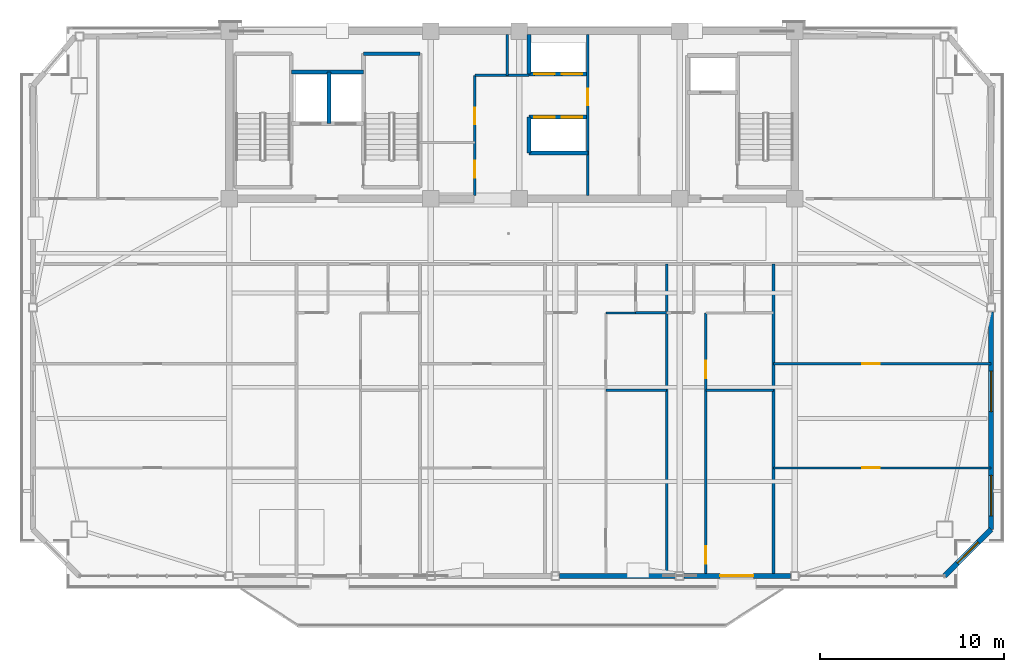
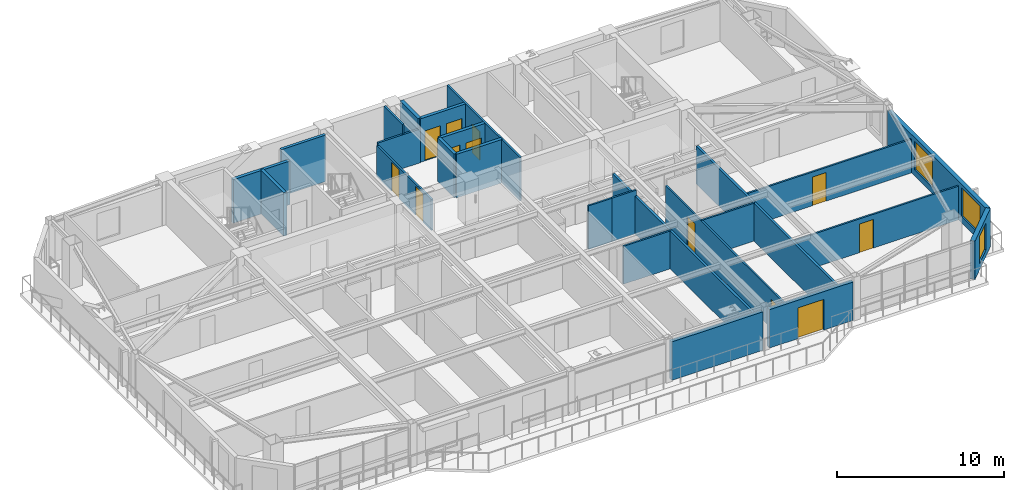
# One storey, part 10 of 17: 25 walls, 12 doors, 3 windows, 15 openings.
"""IFC4 building model written with IfcOpenShell, lengths in metres."""

from ifc_helpers import new_model, si_unit, direction, frame, frame_2d, origin, place, context, subcontext, project, spatial, rectangle, extrude, source, transform, mapped, material, layer, layer_set, type_object, element, fill, save


model = new_model("IFC4")

# Units and contexts
model_context = context("Model", 3, precision=1e-05, world=origin(), true_north=direction((0.0, 1.0)))
body_context = subcontext(model_context, "Body", "Model", "MODEL_VIEW")
ifc_project = project(units=[si_unit("LENGTHUNIT", "METRE"), si_unit("AREAUNIT", "SQUARE_METRE"), si_unit("VOLUMEUNIT", "CUBIC_METRE"), si_unit("PLANEANGLEUNIT", "RADIAN"), si_unit("MASSUNIT", "GRAM", prefix="KILO")], contexts=[model_context])

# Site, building, storey
site_placement = place(None, origin())
site = spatial("IfcSite", under=ifc_project, at=site_placement, CompositionType="ELEMENT")
building_placement = place(site_placement, origin())
building = spatial("IfcBuilding", under=site, at=building_placement, Name="Giltprow Tower", CompositionType="ELEMENT")
storey_placement = place(building_placement, frame((0.0, 0.0, 268.89990234375)))
storey = spatial("IfcBuildingStorey", under=building, at=storey_placement, Name="L69", CompositionType="ELEMENT", Elevation=268.89990234375)

# Wall, opening, window
ifc_material_1 = material(Name="Precast concrete C40", Category="concrete")
ifc_layer_1 = layer(ifc_material_1, 0.300048828125, Name="Precast concrete C40")
ifc_layer_set_1 = layer_set([ifc_layer_1], Name="Precast concrete C40")
wall_type_1 = type_object("IfcWallType", Name="EW-NOTCH-CHAMFER-300", PredefinedType="SOLIDWALL", material=ifc_layer_set_1)
wall_1_placement = place(storey_placement, frame((58.68408203125, 16.97607421875, 0.0), z_axis=(0.0, 0.0, 1.0), x_axis=(0.707106781187, 0.707106781187, 0.0)))
wall_1 = element("IfcWall", 1, at=wall_1_placement, inside=storey, type_object=wall_type_1, Name="L69 Corner Notch Wall SE", PredefinedType="SOLIDWALL", context=body_context, shape_type="SweptSolid", body=[
    extrude(rectangle(XDim=3.56787109375, YDim=0.300048828125, at=frame_2d((1.783935546875, 0.0))), origin(), (0.0, 0.0, 1.0), 2.815185546875),
])
opening_1_placement = place(wall_1_placement, frame((0.98388671875, 0.0, 0.449951171875)))
opening_1 = element("IfcOpeningElement", 2, at=opening_1_placement, cuts=wall_1, Name="Opening WN17", PredefinedType="OPENING", context=body_context, shape_type="SweptSolid", body=[
    extrude(rectangle(XDim=1.60009765625, YDim=2.0, at=frame_2d((0.800048828125, 1.0))), frame((0.0, 0.159912109375, 0.0), z_axis=(0.0, -1.0, 0.0), x_axis=(1.0, 0.0, 0.0)), (0.0, 0.0, 1.0), 0.320068359375),
])
ifc_material_2 = material(Name="Insulated glass", Category="glass")
window_type_1 = type_object("IfcWindowType", Name="WN-COR-1600x2000", PartitioningType="SINGLE_PANEL", PredefinedType="WINDOW", material=ifc_material_2)
shared_shape_1 = source(origin(), body_context, "Body", "SweptSolid", [
    extrude(rectangle(XDim=1.60009765625, YDim=2.0, at=frame_2d((0.800048828125, 1.0))), frame((0.0, 0.030029296875, 0.0), z_axis=(0.0, -1.0, 0.0), x_axis=(1.0, 0.0, 0.0)), (0.0, 0.0, 1.0), 0.06005859375),
])
window_1_placement = place(opening_1_placement, origin())
window_1 = element("IfcWindow", 3, at=window_1_placement, inside=storey, type_object=window_type_1, Name="L69 Corner Notch Window SE", OverallHeight=2.0, OverallWidth=1.60009765625, PartitioningType="SINGLE_PANEL", PredefinedType="WINDOW", context=body_context, shape_type="MappedRepresentation", body=[
    mapped(shared_shape_1, transform((0.0, 0.0, 0.0), x_axis=(1.0, 0.0, 0.0), y_axis=(0.0, 1.0, 0.0), z_axis=(0.0, 0.0, 1.0), scale=1.0)),
])
fill(opening_1, window_1)

# Wall
ifc_layer_2 = layer(ifc_material_1, 0.280029296875, Name="Precast concrete C40")
ifc_layer_set_2 = layer_set([ifc_layer_2], Name="Precast concrete C40")
wall_type_2 = type_object("IfcWallType", Name="EW-TOW-BRONZE-280", PredefinedType="SOLIDWALL", material=ifc_layer_set_2)
wall_2_placement = place(storey_placement, frame((37.77490234375, 16.97607421875, 0.0), z_axis=(0.0, 0.0, 1.0), x_axis=(1.0, 0.0, 0.0)))
element("IfcWall", 4, at=wall_2_placement, inside=storey, type_object=wall_type_2, Name="L69 South Expressed Frame Wall 4", PredefinedType="SOLIDWALL", context=body_context, shape_type="SweptSolid", body=[
    extrude(rectangle(XDim=6.300048828125, YDim=0.280029296875, at=frame_2d((3.14990234375, 0.0))), origin(), (0.0, 0.0, 1.0), 2.815185546875),
])

# Wall, opening, door
wall_3_placement = place(storey_placement, frame((44.52490234375, 16.97607421875, 0.0), z_axis=(0.0, 0.0, 1.0), x_axis=(1.0, 0.0, 0.0)))
wall_3 = element("IfcWall", 5, at=wall_3_placement, inside=storey, type_object=wall_type_2, Name="L69 South Expressed Frame Wall 5", PredefinedType="SOLIDWALL", context=body_context, shape_type="SweptSolid", body=[
    extrude(rectangle(XDim=5.800048828125, YDim=0.280029296875, at=frame_2d((2.89990234375, 0.0))), origin(), (0.0, 0.0, 1.0), 2.815185546875),
])
opening_2_placement = place(wall_3_placement, frame((1.97509765625, 0.0, 0.0)))
opening_2 = element("IfcOpeningElement", 6, at=opening_2_placement, cuts=wall_3, Name="Opening ED25", PredefinedType="OPENING", context=body_context, shape_type="SweptSolid", body=[
    extrude(rectangle(XDim=1.800048828125, YDim=2.25, at=frame_2d((0.89990234375, 1.125))), frame((0.0, 0.14990234375, 0.0), z_axis=(0.0, -1.0, 0.0), x_axis=(1.0, 0.0, 0.0)), (0.0, 0.0, 1.0), 0.300048828125),
])
ifc_material_3 = material(Name="Anodized bronze and glass", Category="glass")
door_type_1 = type_object("IfcDoorType", Name="DR-BALC-SLIDE-1800", OperationType="SLIDING_TO_LEFT", PredefinedType="DOOR", material=ifc_material_3)
shared_shape_2 = source(origin(), body_context, "Body", "SweptSolid", [
    extrude(rectangle(XDim=1.800048828125, YDim=2.25, at=frame_2d((0.89990234375, 1.125))), frame((0.0, 0.02490234375, 0.0), z_axis=(0.0, -1.0, 0.0), x_axis=(1.0, 0.0, 0.0)), (0.0, 0.0, 1.0), 0.050048828125),
])
door_1_placement = place(opening_2_placement, origin())
door_1 = element("IfcDoor", 7, at=door_1_placement, inside=storey, type_object=door_type_1, Name="L69 Waterfront Balcony Sliding Door 2", OperationType="SLIDING_TO_LEFT", OverallHeight=2.25, OverallWidth=1.800048828125, PredefinedType="DOOR", context=body_context, shape_type="MappedRepresentation", body=[
    mapped(shared_shape_2, transform((0.0, 0.0, 0.0), x_axis=(1.0, 0.0, 0.0), y_axis=(0.0, 1.0, 0.0), z_axis=(0.0, 0.0, 1.0), scale=1.0)),
])
fill(opening_2, door_1)

# Wall, openings, windows
wall_4_placement = place(storey_placement, frame((61.20703125, 19.4990234375, 0.0), z_axis=(0.0, 0.0, 1.0), x_axis=(0.0, 1.0, 0.0)))
wall_4 = element("IfcWall", 8, at=wall_4_placement, inside=storey, type_object=wall_type_2, Name="L69 E Wing Masonry Wall 1", PredefinedType="SOLIDWALL", context=body_context, shape_type="SweptSolid", body=[
    extrude(rectangle(XDim=11.81396484375, YDim=0.280029296875, at=frame_2d((5.906982421875, 0.0))), origin(), (0.0, 0.0, 1.0), 2.815185546875),
])
opening_3_placement = place(wall_4_placement, frame((0.736083984375, 0.0, 0.449951171875)))
opening_3 = element("IfcOpeningElement", 9, at=opening_3_placement, cuts=wall_4, Name="Opening WN27", PredefinedType="OPENING", context=body_context, shape_type="SweptSolid", body=[
    extrude(rectangle(XDim=2.199951171875, YDim=2.10009765625, at=frame_2d((1.10009765625, 1.050048828125))), frame((0.0, 0.14990234375, 0.0), z_axis=(0.0, -1.0, 0.0), x_axis=(1.0, 0.0, 0.0)), (0.0, 0.0, 1.0), 0.300048828125),
])
opening_4_placement = place(wall_4_placement, frame((6.39501953125, 0.0, 0.449951171875)))
opening_4 = element("IfcOpeningElement", 10, at=opening_4_placement, cuts=wall_4, Name="Opening WN27", PredefinedType="OPENING", context=body_context, shape_type="SweptSolid", body=[
    extrude(rectangle(XDim=2.199951171875, YDim=2.10009765625, at=frame_2d((1.10009765625, 1.050048828125))), frame((0.0, 0.14990234375, 0.0), z_axis=(0.0, -1.0, 0.0), x_axis=(1.0, 0.0, 0.0)), (0.0, 0.0, 1.0), 0.300048828125),
])
window_type_2 = type_object("IfcWindowType", Name="WN-RES-2200x2100", PartitioningType="TRIPLE_PANEL_VERTICAL", PredefinedType="WINDOW", material=ifc_material_2)
shared_shape_3 = source(origin(), body_context, "Body", "SweptSolid", [
    extrude(rectangle(XDim=2.199951171875, YDim=2.10009765625, at=frame_2d((1.10009765625, 1.050048828125))), frame((0.0, 0.030029296875, 0.0), z_axis=(0.0, -1.0, 0.0), x_axis=(1.0, 0.0, 0.0)), (0.0, 0.0, 1.0), 0.06005859375),
])
window_2_placement = place(opening_3_placement, origin())
window_2 = element("IfcWindow", 11, at=window_2_placement, inside=storey, type_object=window_type_2, Name="L69 E Wing Window 1-1A", OverallHeight=2.10009765625, OverallWidth=2.199951171875, PartitioningType="SINGLE_PANEL", PredefinedType="WINDOW", context=body_context, shape_type="MappedRepresentation", body=[
    mapped(shared_shape_3, transform((0.0, 0.0, 0.0), x_axis=(1.0, 0.0, 0.0), y_axis=(0.0, 1.0, 0.0), z_axis=(0.0, 0.0, 1.0), scale=1.0)),
])
fill(opening_3, window_2)
window_3_placement = place(opening_4_placement, origin())
window_3 = element("IfcWindow", 12, at=window_3_placement, inside=storey, type_object=window_type_2, Name="L69 E Wing Window 1-1B", OverallHeight=2.10009765625, OverallWidth=2.199951171875, PartitioningType="SINGLE_PANEL", PredefinedType="WINDOW", context=body_context, shape_type="MappedRepresentation", body=[
    mapped(shared_shape_3, transform((0.0, 0.0, 0.0), x_axis=(1.0, 0.0, 0.0), y_axis=(0.0, 1.0, 0.0), z_axis=(0.0, 0.0, 1.0), scale=1.0)),
])
fill(opening_4, window_3)

# Walls
ifc_material_4 = material(Name="Gypsum stud partition", Category="gypsum")
ifc_layer_3 = layer(ifc_material_4, 0.159912109375, Name="Gypsum stud partition")
ifc_layer_set_3 = layer_set([ifc_layer_3], Name="Gypsum stud partition")
wall_type_3 = type_object("IfcWallType", Name="IW-DEMISE-160", PredefinedType="PARTITIONING", material=ifc_layer_set_3)
for number, where, z_axis, x_axis, name in (
    (13, (43.60009765625, 16.97607421875, 0.0), (0.0, 0.0, 1.0), (0.0, 1.0, 0.0), "L69 Apartment Party Wall 4"),
    (14, (49.39990234375, 16.97607421875, 0.0), (0.0, 0.0, 1.0), (0.0, 1.0, 0.0), "L69 Apartment Party Wall 5"),
):
    element("IfcWall", number, at=place(storey_placement, frame(where, z_axis=z_axis, x_axis=x_axis)), inside=storey, type_object=wall_type_3, Name=name, PredefinedType="PARTITIONING", context=body_context, shape_type="SweptSolid", body=[
        extrude(rectangle(XDim=16.923828125, YDim=0.159912109375, at=frame_2d((8.4619140625, 0.0))), origin(), (0.0, 0.0, 1.0), 2.77001953125),
    ])
ifc_layer_4 = layer(ifc_material_4, 0.1201171875, Name="Gypsum stud partition")
ifc_layer_set_4 = layer_set([ifc_layer_4], Name="Gypsum stud partition")
wall_type_4 = type_object("IfcWallType", Name="IW-ROOM-120", PredefinedType="PARTITIONING", material=ifc_layer_set_4)
wall_5_placement = place(storey_placement, frame((40.300048828125, 31.25, 0.0), z_axis=(0.0, 0.0, 1.0), x_axis=(1.0, 0.0, 0.0)))
element("IfcWall", 15, at=wall_5_placement, inside=storey, type_object=wall_type_4, Name="L69 Unit 2 Bedroom North Wall", PredefinedType="PARTITIONING", context=body_context, shape_type="SweptSolid", body=[
    extrude(rectangle(XDim=1.60986328125, YDim=0.1201171875, at=frame_2d((0.804931640625, 0.0))), origin(), (0.0, 0.0, 1.0), 3.18505859375),
])
wall_6_placement = place(storey_placement, frame((40.300048828125, 27.050048828125, 0.0), z_axis=(0.0, 0.0, 1.0), x_axis=(1.0, 0.0, 0.0)))
element("IfcWall", 16, at=wall_6_placement, inside=storey, type_object=wall_type_4, Name="L69 Unit 2 Second Bedroom Wall", PredefinedType="PARTITIONING", context=body_context, shape_type="SweptSolid", body=[
    extrude(rectangle(XDim=3.300048828125, YDim=0.1201171875, at=frame_2d((1.64990234375, 0.0))), origin(), (0.0, 0.0, 1.0), 2.77001953125),
])

# Wall, openings, doors
wall_7_placement = place(storey_placement, frame((45.719970703125, 16.97607421875, 0.0), z_axis=(0.0, 0.0, 1.0), x_axis=(0.0, 1.0, 0.0)))
wall_7 = element("IfcWall", 17, at=wall_7_placement, inside=storey, type_object=wall_type_4, Name="L69 Unit 3 Bedroom Wall", PredefinedType="PARTITIONING", context=body_context, shape_type="SweptSolid", body=[
    extrude(rectangle(XDim=14.27392578125, YDim=0.1201171875, at=frame_2d((7.136962890625, 0.0))), origin(), (0.0, 0.0, 1.0), 2.77001953125),
])
opening_5_placement = place(wall_7_placement, frame((0.669921875, 0.0, 0.0)))
opening_5 = element("IfcOpeningElement", 18, at=opening_5_placement, cuts=wall_7, Name="Opening ID11", PredefinedType="OPENING", context=body_context, shape_type="SweptSolid", body=[
    extrude(rectangle(XDim=0.949951171875, YDim=2.10009765625, at=frame_2d((0.47509765625, 1.050048828125))), frame((0.0, 0.070068359375, 0.0), z_axis=(0.0, -1.0, 0.0), x_axis=(1.0, 0.0, 0.0)), (0.0, 0.0, 1.0), 0.14013671875),
])
opening_6_placement = place(wall_7_placement, frame((10.714111328125, 0.0, 0.0)))
opening_6 = element("IfcOpeningElement", 19, at=opening_6_placement, cuts=wall_7, Name="Opening ID11", PredefinedType="OPENING", context=body_context, shape_type="SweptSolid", body=[
    extrude(rectangle(XDim=0.949951171875, YDim=2.10009765625, at=frame_2d((0.47509765625, 1.050048828125))), frame((0.0, 0.070068359375, 0.0), z_axis=(0.0, -1.0, 0.0), x_axis=(1.0, 0.0, 0.0)), (0.0, 0.0, 1.0), 0.14013671875),
])
ifc_material_5 = material(Name="Engineered timber", Category="wood")
door_type_2 = type_object("IfcDoorType", Name="DR-ROOM-950", OperationType="SINGLE_SWING_RIGHT", PredefinedType="DOOR", material=ifc_material_5)
shared_shape_4 = source(origin(), body_context, "Body", "SweptSolid", [
    extrude(rectangle(XDim=0.949951171875, YDim=2.10009765625, at=frame_2d((0.47509765625, 1.050048828125))), frame((0.0, 0.02490234375, 0.0), z_axis=(0.0, -1.0, 0.0), x_axis=(1.0, 0.0, 0.0)), (0.0, 0.0, 1.0), 0.050048828125),
])
door_2_placement = place(opening_5_placement, origin())
door_2 = element("IfcDoor", 20, at=door_2_placement, inside=storey, type_object=door_type_2, Name="L69 Unit 3 Primary Bedroom Door", OperationType="SINGLE_SWING_RIGHT", OverallHeight=2.10009765625, OverallWidth=0.949951171875, PredefinedType="DOOR", context=body_context, shape_type="MappedRepresentation", body=[
    mapped(shared_shape_4, transform((0.0, 0.0, 0.0), x_axis=(1.0, 0.0, 0.0), y_axis=(0.0, 1.0, 0.0), z_axis=(0.0, 0.0, 1.0), scale=1.0)),
])
fill(opening_5, door_2)
door_3_placement = place(opening_6_placement, origin())
door_3 = element("IfcDoor", 21, at=door_3_placement, inside=storey, type_object=door_type_2, Name="L69 Unit 3 Second Bedroom Door", OperationType="SINGLE_SWING_LEFT", OverallHeight=2.10009765625, OverallWidth=0.949951171875, PredefinedType="DOOR", context=body_context, shape_type="MappedRepresentation", body=[
    mapped(shared_shape_4, transform((0.0, 0.0, 0.0), x_axis=(1.0, 0.0, 0.0), y_axis=(0.0, 1.0, 0.0), z_axis=(0.0, 0.0, 1.0), scale=1.0)),
])
fill(opening_6, door_3)

# Wall
wall_8_placement = place(storey_placement, frame((45.719970703125, 27.050048828125, 0.0), z_axis=(0.0, 0.0, 1.0), x_axis=(1.0, 0.0, 0.0)))
element("IfcWall", 22, at=wall_8_placement, inside=storey, type_object=wall_type_4, Name="L69 Unit 3 Second Bedroom Wall", PredefinedType="PARTITIONING", context=body_context, shape_type="SweptSolid", body=[
    extrude(rectangle(XDim=3.679931640625, YDim=0.1201171875, at=frame_2d((1.83984375, 0.0))), origin(), (0.0, 0.0, 1.0), 2.77001953125),
])

# Wall, opening, door
wall_9_placement = place(storey_placement, frame((49.39990234375, 22.8349609375, 0.0), z_axis=(0.0, 0.0, 1.0), x_axis=(1.0, 0.0, 0.0)))
wall_9 = element("IfcWall", 23, at=wall_9_placement, inside=storey, type_object=wall_type_4, Name="L69 Special Split 1", PredefinedType="PARTITIONING", context=body_context, shape_type="SweptSolid", body=[
    extrude(rectangle(XDim=11.80712890625, YDim=0.1201171875, at=frame_2d((5.903564453125, 0.0))), origin(), (0.0, 0.0, 1.0), 2.47021484375),
])
opening_7_placement = place(wall_9_placement, frame((4.80908203125, 0.0, 0.0)))
opening_7 = element("IfcOpeningElement", 24, at=opening_7_placement, cuts=wall_9, Name="Opening ID11", PredefinedType="OPENING", context=body_context, shape_type="SweptSolid", body=[
    extrude(rectangle(XDim=0.949951171875, YDim=2.10009765625, at=frame_2d((0.47509765625, 1.050048828125))), frame((0.0, 0.070068359375, 0.0), z_axis=(0.0, -1.0, 0.0), x_axis=(1.0, 0.0, 0.0)), (0.0, 0.0, 1.0), 0.14013671875),
])
door_4_placement = place(opening_7_placement, origin())
door_4 = element("IfcDoor", 25, at=door_4_placement, inside=storey, type_object=door_type_2, Name="L69 Screening Meeting Room 3 South Door", OperationType="SINGLE_SWING_RIGHT", OverallHeight=2.10009765625, OverallWidth=0.949951171875, PredefinedType="DOOR", context=body_context, shape_type="MappedRepresentation", body=[
    mapped(shared_shape_4, transform((0.0, 0.0, 0.0), x_axis=(1.0, 0.0, 0.0), y_axis=(0.0, 1.0, 0.0), z_axis=(0.0, 0.0, 1.0), scale=1.0)),
])
fill(opening_7, door_4)

wall_10_placement = place(storey_placement, frame((49.39990234375, 28.493896484375, 0.0), z_axis=(0.0, 0.0, 1.0), x_axis=(1.0, 0.0, 0.0)))
wall_10 = element("IfcWall", 26, at=wall_10_placement, inside=storey, type_object=wall_type_4, Name="L69 Special Split 2", PredefinedType="PARTITIONING", context=body_context, shape_type="SweptSolid", body=[
    extrude(rectangle(XDim=11.80712890625, YDim=0.1201171875, at=frame_2d((5.903564453125, 0.0))), origin(), (0.0, 0.0, 1.0), 2.47021484375),
])
opening_8_placement = place(wall_10_placement, frame((4.80908203125, 0.0, 0.0)))
opening_8 = element("IfcOpeningElement", 27, at=opening_8_placement, cuts=wall_10, Name="Opening ID11", PredefinedType="OPENING", context=body_context, shape_type="SweptSolid", body=[
    extrude(rectangle(XDim=0.949951171875, YDim=2.10009765625, at=frame_2d((0.47509765625, 1.050048828125))), frame((0.0, 0.070068359375, 0.0), z_axis=(0.0, -1.0, 0.0), x_axis=(1.0, 0.0, 0.0)), (0.0, 0.0, 1.0), 0.14013671875),
])
door_5_placement = place(opening_8_placement, origin())
door_5 = element("IfcDoor", 28, at=door_5_placement, inside=storey, type_object=door_type_2, Name="L69 Screening Meeting Room 3 Mid Door", OperationType="SINGLE_SWING_LEFT", OverallHeight=2.10009765625, OverallWidth=0.949951171875, PredefinedType="DOOR", context=body_context, shape_type="MappedRepresentation", body=[
    mapped(shared_shape_4, transform((0.0, 0.0, 0.0), x_axis=(1.0, 0.0, 0.0), y_axis=(0.0, 1.0, 0.0), z_axis=(0.0, 0.0, 1.0), scale=1.0)),
])
fill(opening_8, door_5)

# Walls
ifc_material_6 = material(Name="Concrete C40", Category="concrete")
ifc_layer_5 = layer(ifc_material_6, 0.219970703125, Name="Concrete C40")
ifc_layer_set_5 = layer_set([ifc_layer_5], Name="Concrete C40")
wall_type_5 = type_object("IfcWallType", Name="IW-SHAFT-220", PredefinedType="SOLIDWALL", material=ifc_layer_set_5)
wall_11_placement = place(storey_placement, frame((25.260009765625, 41.52001953125, 0.0), z_axis=(0.0, 0.0, 1.0), x_axis=(0.0, 1.0, 0.0)))
element("IfcWall", 29, at=wall_11_placement, inside=storey, type_object=wall_type_5, Name="L69 FFL1-SVL1 Shaft Divider", PredefinedType="SOLIDWALL", context=body_context, shape_type="SweptSolid", body=[
    extrude(rectangle(XDim=2.800048828125, YDim=0.219970703125, at=frame_2d((1.39990234375, 0.0))), origin(), (0.0, 0.0, 1.0), 3.18505859375),
])
wall_12_placement = place(storey_placement, frame((23.219970703125, 44.320068359375, 0.0), z_axis=(0.0, 0.0, 1.0), x_axis=(1.0, 0.0, 0.0)))
element("IfcWall", 30, at=wall_12_placement, inside=storey, type_object=wall_type_5, Name="L69 FFL1-SVL1 Back Shaft Wall", PredefinedType="SOLIDWALL", context=body_context, shape_type="SweptSolid", body=[
    extrude(rectangle(XDim=3.919921875, YDim=0.219970703125, at=frame_2d((1.9599609375, 0.0))), origin(), (0.0, 0.0, 1.0), 3.18505859375),
])

# Wall, openings, doors
wall_13_placement = place(storey_placement, frame((36.1201171875, 44.219970703125, 0.0), z_axis=(0.0, 0.0, 1.0), x_axis=(1.0, 0.0, 0.0)))
wall_13 = element("IfcWall", 31, at=wall_13_placement, inside=storey, type_object=wall_type_5, Name="L69 High-Rise Lift Shaft Front Wall N", PredefinedType="SOLIDWALL", context=body_context, shape_type="SweptSolid", body=[
    extrude(rectangle(XDim=3.199951171875, YDim=0.219970703125, at=frame_2d((1.60009765625, 0.0))), origin(), (0.0, 0.0, 1.0), 3.18505859375),
])
opening_9_placement = place(wall_13_placement, frame((0.300048828125, 0.0, 0.0)))
opening_9 = element("IfcOpeningElement", 32, at=opening_9_placement, cuts=wall_13, Name="Opening LD-11", PredefinedType="OPENING", context=body_context, shape_type="SweptSolid", body=[
    extrude(rectangle(XDim=1.10009765625, YDim=2.199951171875, at=frame_2d((0.550048828125, 1.10009765625))), frame((0.0, 0.119873046875, 0.0), z_axis=(0.0, -1.0, 0.0), x_axis=(1.0, 0.0, 0.0)), (0.0, 0.0, 1.0), 0.239990234375),
])
opening_10_placement = place(wall_13_placement, frame((1.7900390625, 0.0, 0.0)))
opening_10 = element("IfcOpeningElement", 33, at=opening_10_placement, cuts=wall_13, Name="Opening LD-11", PredefinedType="OPENING", context=body_context, shape_type="SweptSolid", body=[
    extrude(rectangle(XDim=1.10009765625, YDim=2.199951171875, at=frame_2d((0.550048828125, 1.10009765625))), frame((0.0, 0.119873046875, 0.0), z_axis=(0.0, -1.0, 0.0), x_axis=(1.0, 0.0, 0.0)), (0.0, 0.0, 1.0), 0.239990234375),
])
ifc_material_7 = material(Name="Stainless steel", Category="steel")
door_type_3 = type_object("IfcDoorType", Name="DR-LIFT-LD1100", OperationType="SLIDING_TO_LEFT", PredefinedType="DOOR", material=ifc_material_7)
shared_shape_5 = source(origin(), body_context, "Body", "SweptSolid", [
    extrude(rectangle(XDim=1.10009765625, YDim=2.199951171875, at=frame_2d((0.550048828125, 1.10009765625))), frame((0.0, 0.02490234375, 0.0), z_axis=(0.0, -1.0, 0.0), x_axis=(1.0, 0.0, 0.0)), (0.0, 0.0, 1.0), 0.050048828125),
])
door_6_placement = place(opening_9_placement, origin())
door_6 = element("IfcDoor", 34, at=door_6_placement, inside=storey, type_object=door_type_3, Name="L69 PL-H1 Landing Door", OperationType="SLIDING_TO_LEFT", OverallHeight=2.199951171875, OverallWidth=1.10009765625, PredefinedType="DOOR", context=body_context, shape_type="MappedRepresentation", body=[
    mapped(shared_shape_5, transform((0.0, 0.0, 0.0), x_axis=(1.0, 0.0, 0.0), y_axis=(0.0, 1.0, 0.0), z_axis=(0.0, 0.0, 1.0), scale=1.0)),
])
fill(opening_9, door_6)
door_7_placement = place(opening_10_placement, origin())
door_7 = element("IfcDoor", 35, at=door_7_placement, inside=storey, type_object=door_type_3, Name="L69 PL-H2 Landing Door", OperationType="SLIDING_TO_LEFT", OverallHeight=2.199951171875, OverallWidth=1.10009765625, PredefinedType="DOOR", context=body_context, shape_type="MappedRepresentation", body=[
    mapped(shared_shape_5, transform((0.0, 0.0, 0.0), x_axis=(1.0, 0.0, 0.0), y_axis=(0.0, 1.0, 0.0), z_axis=(0.0, 0.0, 1.0), scale=1.0)),
])
fill(opening_10, door_7)

wall_14_placement = place(storey_placement, frame((36.1201171875, 41.8798828125, 0.0), z_axis=(0.0, 0.0, 1.0), x_axis=(1.0, 0.0, 0.0)))
wall_14 = element("IfcWall", 36, at=wall_14_placement, inside=storey, type_object=wall_type_5, Name="L69 High-Rise Lift Shaft Front Wall S", PredefinedType="SOLIDWALL", context=body_context, shape_type="SweptSolid", body=[
    extrude(rectangle(XDim=3.199951171875, YDim=0.219970703125, at=frame_2d((1.60009765625, 0.0))), origin(), (0.0, 0.0, 1.0), 3.18505859375),
])
opening_11_placement = place(wall_14_placement, frame((0.300048828125, 0.0, 0.0)))
opening_11 = element("IfcOpeningElement", 37, at=opening_11_placement, cuts=wall_14, Name="Opening LD-11", PredefinedType="OPENING", context=body_context, shape_type="SweptSolid", body=[
    extrude(rectangle(XDim=1.10009765625, YDim=2.199951171875, at=frame_2d((0.550048828125, 1.10009765625))), frame((0.0, 0.119873046875, 0.0), z_axis=(0.0, -1.0, 0.0), x_axis=(1.0, 0.0, 0.0)), (0.0, 0.0, 1.0), 0.239990234375),
])
opening_12_placement = place(wall_14_placement, frame((1.7900390625, 0.0, 0.0)))
opening_12 = element("IfcOpeningElement", 38, at=opening_12_placement, cuts=wall_14, Name="Opening LD-11", PredefinedType="OPENING", context=body_context, shape_type="SweptSolid", body=[
    extrude(rectangle(XDim=1.10009765625, YDim=2.199951171875, at=frame_2d((0.550048828125, 1.10009765625))), frame((0.0, 0.119873046875, 0.0), z_axis=(0.0, -1.0, 0.0), x_axis=(1.0, 0.0, 0.0)), (0.0, 0.0, 1.0), 0.239990234375),
])
door_8_placement = place(opening_11_placement, origin())
door_8 = element("IfcDoor", 39, at=door_8_placement, inside=storey, type_object=door_type_3, Name="L69 PL-H3 Landing Door", OperationType="SLIDING_TO_LEFT", OverallHeight=2.199951171875, OverallWidth=1.10009765625, PredefinedType="DOOR", context=body_context, shape_type="MappedRepresentation", body=[
    mapped(shared_shape_5, transform((0.0, 0.0, 0.0), x_axis=(1.0, 0.0, 0.0), y_axis=(0.0, 1.0, 0.0), z_axis=(0.0, 0.0, 1.0), scale=1.0)),
])
fill(opening_11, door_8)
door_9_placement = place(opening_12_placement, origin())
door_9 = element("IfcDoor", 40, at=door_9_placement, inside=storey, type_object=door_type_3, Name="L69 PL-H4 Landing Door", OperationType="SLIDING_TO_LEFT", OverallHeight=2.199951171875, OverallWidth=1.10009765625, PredefinedType="DOOR", context=body_context, shape_type="MappedRepresentation", body=[
    mapped(shared_shape_5, transform((0.0, 0.0, 0.0), x_axis=(1.0, 0.0, 0.0), y_axis=(0.0, 1.0, 0.0), z_axis=(0.0, 0.0, 1.0), scale=1.0)),
])
fill(opening_12, door_9)

# Walls
wall_15_placement = place(storey_placement, frame((36.1201171875, 39.919921875, 0.0), z_axis=(0.0, 0.0, 1.0), x_axis=(1.0, 0.0, 0.0)))
element("IfcWall", 41, at=wall_15_placement, inside=storey, type_object=wall_type_5, Name="L69 High-Rise South Lift Back Wall", PredefinedType="SOLIDWALL", context=body_context, shape_type="SweptSolid", body=[
    extrude(rectangle(XDim=3.199951171875, YDim=0.219970703125, at=frame_2d((1.60009765625, 0.0))), origin(), (0.0, 0.0, 1.0), 3.18505859375),
])
wall_16_placement = place(storey_placement, frame((36.1201171875, 39.919921875, 0.0), z_axis=(0.0, 0.0, 1.0), x_axis=(0.0, 1.0, 0.0)))
element("IfcWall", 42, at=wall_16_placement, inside=storey, type_object=wall_type_5, Name="L69 High-Rise South Lift West Closure", PredefinedType="SOLIDWALL", context=body_context, shape_type="SweptSolid", body=[
    extrude(rectangle(XDim=1.9599609375, YDim=0.219970703125, at=frame_2d((0.97998046875, 0.0))), origin(), (0.0, 0.0, 1.0), 3.18505859375),
])
wall_17_placement = place(storey_placement, frame((36.1201171875, 44.219970703125, 0.0), z_axis=(0.0, 0.0, 1.0), x_axis=(0.0, 1.0, 0.0)))
element("IfcWall", 43, at=wall_17_placement, inside=storey, type_object=wall_type_5, Name="L69 High-Rise North Lift West Closure", PredefinedType="SOLIDWALL", context=body_context, shape_type="SweptSolid", body=[
    extrude(rectangle(XDim=2.150146484375, YDim=0.219970703125, at=frame_2d((1.0751953125, 0.0))), origin(), (0.0, 0.0, 1.0), 3.18505859375),
])
ifc_layer_6 = layer(ifc_material_6, 0.199951171875, Name="Concrete C40")
ifc_layer_set_6 = layer_set([ifc_layer_6], Name="Concrete C40")
wall_type_6 = type_object("IfcWallType", Name="IW-STAIR-200", PredefinedType="SOLIDWALL", material=ifc_layer_set_6)
wall_18_placement = place(storey_placement, frame((27.139892578125, 45.320068359375, 0.0), z_axis=(0.0, 0.0, 1.0), x_axis=(1.0, 0.0, 0.0)))
element("IfcWall", 44, at=wall_18_placement, inside=storey, type_object=wall_type_6, Name="L69 Stair ST-2 North Bearing Wall", PredefinedType="SOLIDWALL", context=body_context, shape_type="SweptSolid", body=[
    extrude(rectangle(XDim=3.080078125, YDim=0.199951171875, at=frame_2d((1.5400390625, 0.0))), origin(), (0.0, 0.0, 1.0), 3.400146484375),
])

# Wall, openings, doors
ifc_material_8 = material(Name="Concrete C30", Category="concrete")
ifc_layer_7 = layer(ifc_material_8, 0.1298828125, Name="Concrete C30")
ifc_layer_set_7 = layer_set([ifc_layer_7], Name="Concrete C30")
wall_type_7 = type_object("IfcWallType", Name="IW-WET-130", PredefinedType="PARTITIONING", material=ifc_layer_set_7)
wall_19_placement = place(storey_placement, frame((33.179931640625, 37.6298828125, 0.0), z_axis=(0.0, 0.0, 1.0), x_axis=(0.0, 1.0, 0.0)))
wall_19 = element("IfcWall", 45, at=wall_19_placement, inside=storey, type_object=wall_type_7, Name="L69 Reclaimed West Core Wall", PredefinedType="PARTITIONING", context=body_context, shape_type="SweptSolid", body=[
    extrude(rectangle(XDim=6.52001953125, YDim=0.1298828125, at=frame_2d((3.260009765625, 0.0))), origin(), (0.0, 0.0, 1.0), 2.27001953125),
])
opening_13_placement = place(wall_19_placement, frame((0.969970703125, 0.0, 0.0)))
opening_13 = element("IfcOpeningElement", 46, at=opening_13_placement, cuts=wall_19, Name="Opening ID35", PredefinedType="OPENING", context=body_context, shape_type="SweptSolid", body=[
    extrude(rectangle(XDim=0.89990234375, YDim=2.10009765625, at=frame_2d((0.449951171875, 1.050048828125))), frame((0.0, 0.074951171875, 0.0), z_axis=(0.0, -1.0, 0.0), x_axis=(1.0, 0.0, 0.0)), (0.0, 0.0, 1.0), 0.14990234375),
])
opening_14_placement = place(wall_19_placement, frame((3.8701171875, 0.0, 0.0)))
opening_14 = element("IfcOpeningElement", 47, at=opening_14_placement, cuts=wall_19, Name="Opening ID35", PredefinedType="OPENING", context=body_context, shape_type="SweptSolid", body=[
    extrude(rectangle(XDim=0.89990234375, YDim=2.10009765625, at=frame_2d((0.449951171875, 1.050048828125))), frame((0.0, 0.074951171875, 0.0), z_axis=(0.0, -1.0, 0.0), x_axis=(1.0, 0.0, 0.0)), (0.0, 0.0, 1.0), 0.14990234375),
])
ifc_material_9 = material(Name="Steel fire leaf", Category="steel")
door_type_4 = type_object("IfcDoorType", Name="DR-SHAFT-900", OperationType="SINGLE_SWING_LEFT", PredefinedType="DOOR", material=ifc_material_9)
shared_shape_6 = source(origin(), body_context, "Body", "SweptSolid", [
    extrude(rectangle(XDim=0.89990234375, YDim=2.10009765625, at=frame_2d((0.449951171875, 1.050048828125))), frame((0.0, 0.02490234375, 0.0), z_axis=(0.0, -1.0, 0.0), x_axis=(1.0, 0.0, 0.0)), (0.0, 0.0, 1.0), 0.050048828125),
])
door_10_placement = place(opening_13_placement, origin())
door_10 = element("IfcDoor", 48, at=door_10_placement, inside=storey, type_object=door_type_4, Name="L69 Core Powder WC Door", OperationType="SINGLE_SWING_LEFT", OverallHeight=2.10009765625, OverallWidth=0.89990234375, PredefinedType="DOOR", context=body_context, shape_type="MappedRepresentation", body=[
    mapped(shared_shape_6, transform((0.0, 0.0, 0.0), x_axis=(1.0, 0.0, 0.0), y_axis=(0.0, 1.0, 0.0), z_axis=(0.0, 0.0, 1.0), scale=1.0)),
])
fill(opening_13, door_10)
door_11_placement = place(opening_14_placement, origin())
door_11 = element("IfcDoor", 49, at=door_11_placement, inside=storey, type_object=door_type_4, Name="L69 Core Sommelier Pantry Door", OperationType="SINGLE_SWING_RIGHT", OverallHeight=2.10009765625, OverallWidth=0.89990234375, PredefinedType="DOOR", context=body_context, shape_type="MappedRepresentation", body=[
    mapped(shared_shape_6, transform((0.0, 0.0, 0.0), x_axis=(1.0, 0.0, 0.0), y_axis=(0.0, 1.0, 0.0), z_axis=(0.0, 0.0, 1.0), scale=1.0)),
])
fill(opening_14, door_11)

# Walls
wall_20_placement = place(storey_placement, frame((34.949951171875, 44.14990234375, 0.0), z_axis=(0.0, 0.0, 1.0), x_axis=(0.0, 1.0, 0.0)))
element("IfcWall", 50, at=wall_20_placement, inside=storey, type_object=wall_type_7, Name="L69 Reclaimed West Pocket Wall E", PredefinedType="PARTITIONING", context=body_context, shape_type="SweptSolid", body=[
    extrude(rectangle(XDim=2.22021484375, YDim=0.1298828125, at=frame_2d((1.110107421875, 0.0))), origin(), (0.0, 0.0, 1.0), 3.18505859375),
])
wall_21_placement = place(storey_placement, frame((33.179931640625, 44.14990234375, 0.0), z_axis=(0.0, 0.0, 1.0), x_axis=(1.0, 0.0, 0.0)))
element("IfcWall", 51, at=wall_21_placement, inside=storey, type_object=wall_type_7, Name="L69 Reclaimed West Pocket Wall S", PredefinedType="PARTITIONING", context=body_context, shape_type="SweptSolid", body=[
    extrude(rectangle(XDim=2.940185546875, YDim=0.1298828125, at=frame_2d((1.47021484375, 0.0))), origin(), (0.0, 0.0, 1.0), 2.47021484375),
])

# Wall, opening, door
wall_22_placement = place(storey_placement, frame((39.320068359375, 37.6298828125, 0.0), z_axis=(0.0, 0.0, 1.0), x_axis=(0.0, 1.0, 0.0)))
wall_22 = element("IfcWall", 52, at=wall_22_placement, inside=storey, type_object=wall_type_7, Name="L69 Reclaimed East Core Wall", PredefinedType="PARTITIONING", context=body_context, shape_type="SweptSolid", body=[
    extrude(rectangle(XDim=8.740234375, YDim=0.1298828125, at=frame_2d((4.3701171875, 0.0))), origin(), (0.0, 0.0, 1.0), 3.18505859375),
])
opening_15_placement = place(wall_22_placement, frame((4.889892578125, 0.0, 0.0)))
opening_15 = element("IfcOpeningElement", 53, at=opening_15_placement, cuts=wall_22, Name="Opening ID35", PredefinedType="OPENING", context=body_context, shape_type="SweptSolid", body=[
    extrude(rectangle(XDim=0.89990234375, YDim=2.10009765625, at=frame_2d((0.449951171875, 1.050048828125))), frame((0.0, 0.074951171875, 0.0), z_axis=(0.0, -1.0, 0.0), x_axis=(1.0, 0.0, 0.0)), (0.0, 0.0, 1.0), 0.14990234375),
])
door_12_placement = place(opening_15_placement, origin())
door_12 = element("IfcDoor", 54, at=door_12_placement, inside=storey, type_object=door_type_4, Name="L69 Core Housekeeping Vestibule Door", OperationType="SINGLE_SWING_LEFT", OverallHeight=2.10009765625, OverallWidth=0.89990234375, PredefinedType="DOOR", context=body_context, shape_type="MappedRepresentation", body=[
    mapped(shared_shape_6, transform((0.0, 0.0, 0.0), x_axis=(1.0, 0.0, 0.0), y_axis=(0.0, 1.0, 0.0), z_axis=(0.0, 0.0, 1.0), scale=1.0)),
])
fill(opening_15, door_12)

# Wall
wall_23_placement = place(storey_placement, frame((41.909912109375, 31.25, 0.0), z_axis=(0.0, 0.0, 1.0), x_axis=(1.0, 0.0, 0.0)))
element("IfcWall", 55, at=wall_23_placement, inside=storey, type_object=wall_type_7, Name="L69 Unit 2 Bathroom South Wall", PredefinedType="PARTITIONING", context=body_context, shape_type="SweptSolid", body=[
    extrude(rectangle(XDim=1.690185546875, YDim=0.1298828125, at=frame_2d((0.84521484375, 0.0))), origin(), (0.0, 0.0, 1.0), 3.18505859375),
])

save(model, "model.ifc")
